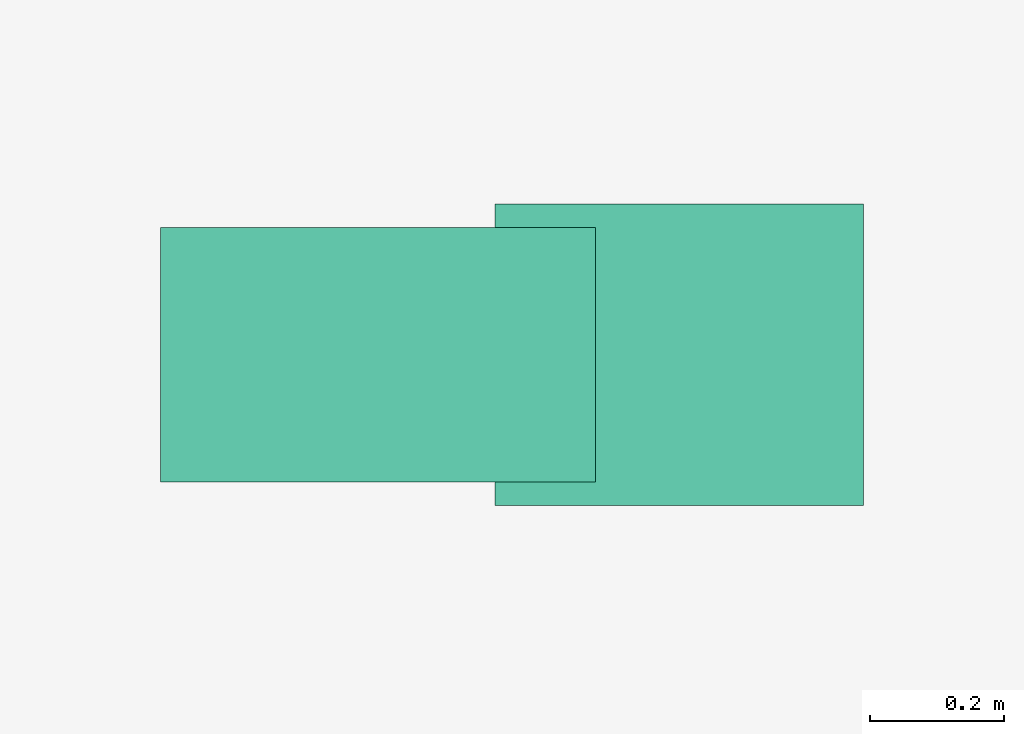
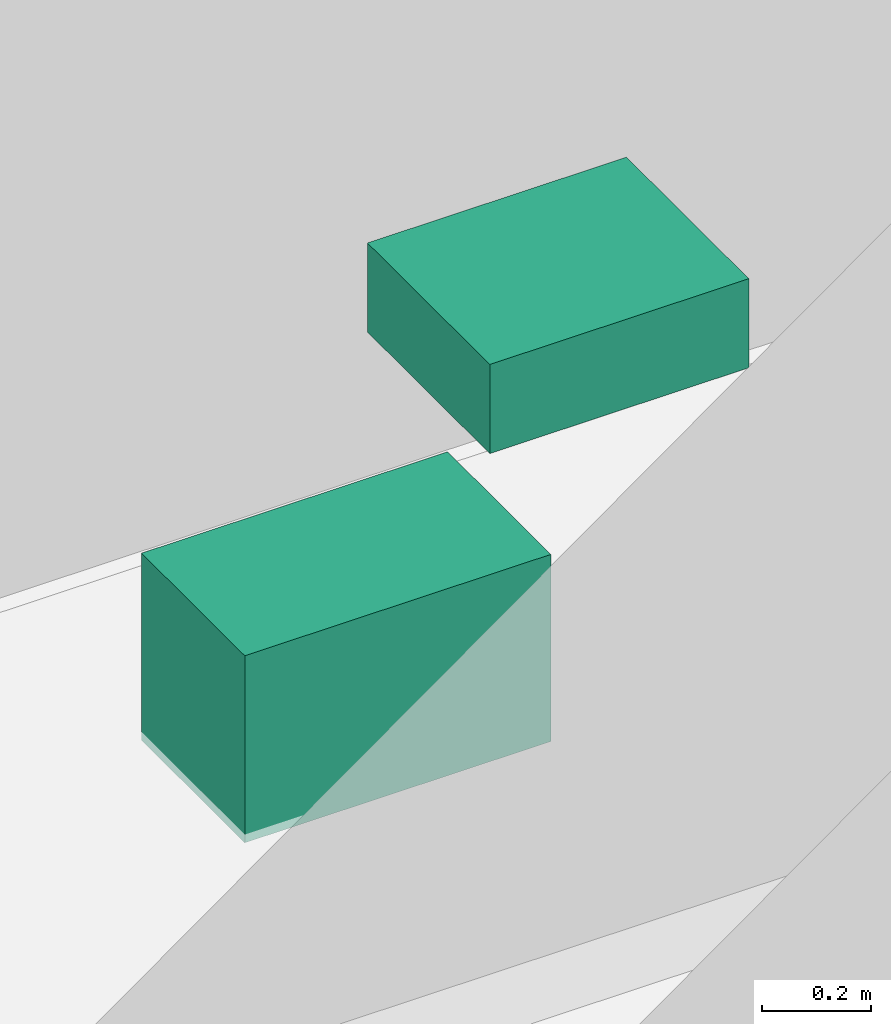
# One storey, part 14 of 14: 2 sanitary terminals.
"""IFC4 building model written with IfcOpenShell, lengths in metres."""

from ifc_helpers import new_model, si_unit, direction, frame, origin, origin_2d, place, context, subcontext, project, spatial, rectangle, extrude, material, type_object, element, save


model = new_model("IFC4")

# Units and contexts
model_context = context("Model", 3, precision=1e-05, world=origin(), true_north=direction((0.0, 1.0)))
body_context = subcontext(model_context, "Body", "Model", "MODEL_VIEW")
ifc_project = project(units=[si_unit("LENGTHUNIT", "METRE"), si_unit("AREAUNIT", "SQUARE_METRE"), si_unit("VOLUMEUNIT", "CUBIC_METRE"), si_unit("PLANEANGLEUNIT", "RADIAN"), si_unit("MASSUNIT", "GRAM", prefix="KILO")], contexts=[model_context])

# Site, building, storey
site_placement = place(None, origin())
site = spatial("IfcSite", under=ifc_project, at=site_placement, CompositionType="ELEMENT")
building_placement = place(site_placement, origin())
building = spatial("IfcBuilding", under=site, at=building_placement, Name="Savorim Split Tower", CompositionType="ELEMENT")
storey_placement = place(building_placement, frame((0.0, 0.0, 185.39990234375)))
storey = spatial("IfcBuildingStorey", under=building, at=storey_placement, Name="L49", CompositionType="ELEMENT", Elevation=185.39990234375)

# Sanitary terminals
ifc_material = material(Name="Vitreous China Sanitaryware")
sanitary_terminal_type_1 = type_object("IfcSanitaryTerminalType", Name="SAN-WC-PAN", PredefinedType="TOILETPAN", material=ifc_material)
sanitary_terminal_1_placement = place(storey_placement, frame((5.800048828125, -8.3701171875, 0.000244140625), z_axis=(0.0, 0.0, 1.0), x_axis=(1.0, 0.0, 0.0)))
element("IfcSanitaryTerminal", 1, at=sanitary_terminal_1_placement, inside=storey, type_object=sanitary_terminal_type_1, Name="L49 Accessible WC WC Pan", PredefinedType="TOILETPAN", context=body_context, shape_type="SweptSolid", body=[
    extrude(rectangle(XDim=0.64990234375, YDim=0.3798828125, at=origin_2d()), origin(), (0.0, 0.0, 1.0), 0.419921875),
])
sanitary_terminal_type_2 = type_object("IfcSanitaryTerminalType", Name="SAN-WHB-550", PredefinedType="WASHHANDBASIN", material=ifc_material)
sanitary_terminal_2_placement = place(storey_placement, frame((6.25, -8.3701171875, 0.72021484375), z_axis=(0.0, 0.0, 1.0), x_axis=(1.0, 0.0, 0.0)))
element("IfcSanitaryTerminal", 2, at=sanitary_terminal_2_placement, inside=storey, type_object=sanitary_terminal_type_2, Name="L49 Accessible WC Washhand Basin", PredefinedType="WASHHANDBASIN", context=body_context, shape_type="SweptSolid", body=[
    extrude(rectangle(XDim=0.550048828125, YDim=0.449951171875, at=origin_2d()), origin(), (0.0, 0.0, 1.0), 0.199951171875),
])

save(model, "model.ifc")
